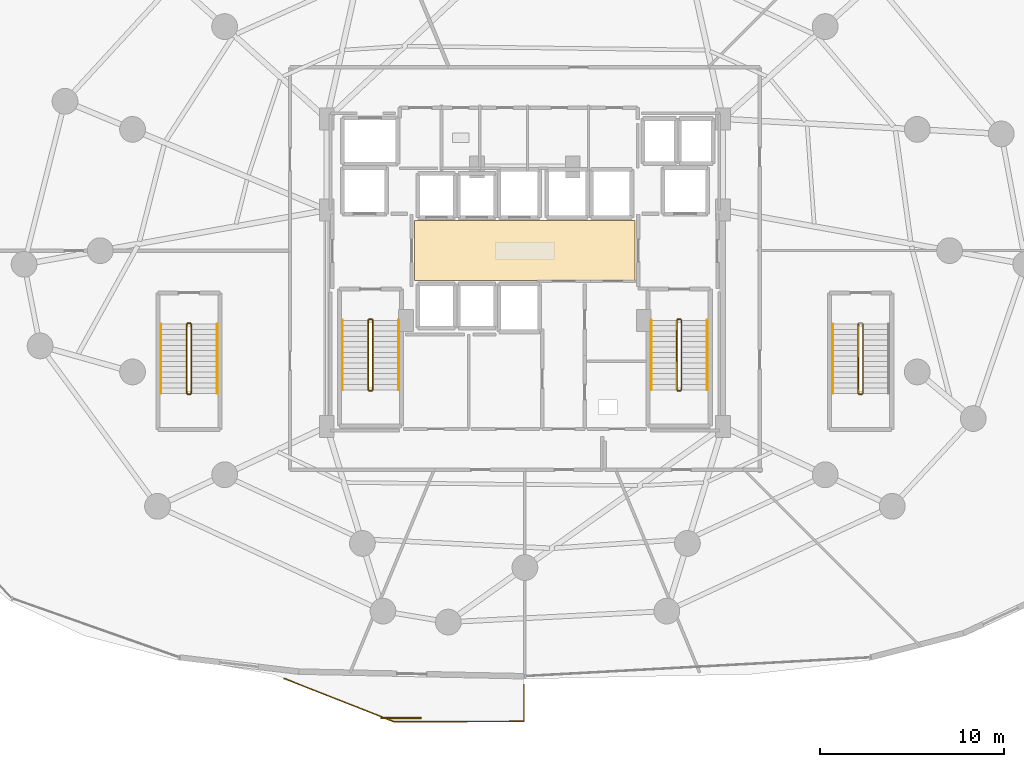
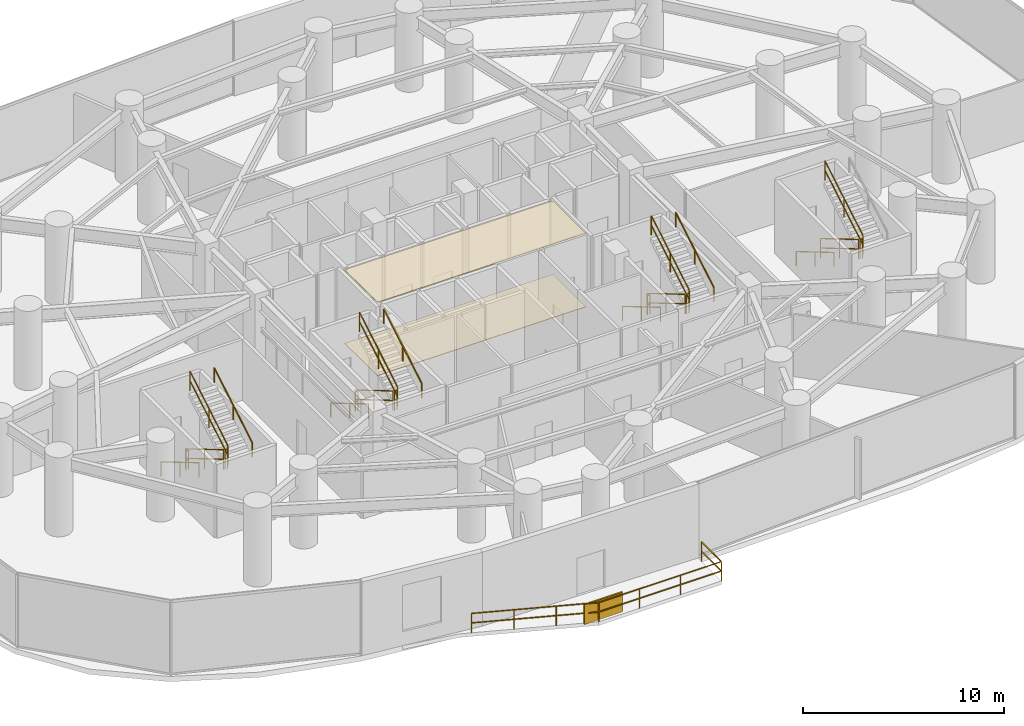
# One storey, part 28 of 30: 24 railings, 2 coverings, 1 shading device.
"""IFC4 building model written with IfcOpenShell, lengths in metres."""

from ifc_helpers import new_model, si_unit, direction, frame, origin, origin_2d, place, context, subcontext, project, spatial, polyline, rectangle, outline, extrude, material, layer, layer_set, type_object, element, save


model = new_model("IFC4")

# Units and contexts
model_context = context("Model", 3, precision=1e-05, world=origin(), true_north=direction((0.0, 1.0)))
body_context = subcontext(model_context, "Body", "Model", "MODEL_VIEW")
ifc_project = project(units=[si_unit("LENGTHUNIT", "METRE"), si_unit("AREAUNIT", "SQUARE_METRE"), si_unit("VOLUMEUNIT", "CUBIC_METRE"), si_unit("PLANEANGLEUNIT", "RADIAN"), si_unit("MASSUNIT", "GRAM", prefix="KILO")], contexts=[model_context])

# Site, building, storey
site_placement = place(None, origin())
site = spatial("IfcSite", under=ifc_project, at=site_placement, CompositionType="ELEMENT")
building_placement = place(site_placement, origin())
building = spatial("IfcBuilding", under=site, at=building_placement, Name="Vorneva Point Tower", CompositionType="ELEMENT")
storey_placement = place(building_placement, frame((0.0, 0.0, 9.60009765625)))
storey = spatial("IfcBuildingStorey", under=building, at=storey_placement, Name="L02", CompositionType="ELEMENT", Elevation=9.60009765625)

# Coverings
ifc_material_1 = material(Name="Perforated acoustic aluminium baffle ceiling", Category="aluminium")
ifc_layer_1 = layer(ifc_material_1, 0.030029296875)
ifc_layer_set_1 = layer_set([ifc_layer_1], Name="Perforated acoustic aluminium baffle ceiling")
covering_type_1 = type_object("IfcCoveringType", Name="COV-CEIL-BAF", PredefinedType="CEILING", material=ifc_layer_set_1)
covering_1_placement = place(storey_placement, frame((0.0, 0.0, 4.449951171875)))
element("IfcCovering", 1, at=covering_1_placement, inside=storey, type_object=covering_type_1, Name="L02 Lift Lobby Acoustic Baffle Ceiling", PredefinedType="CEILING", context=body_context, shape_type="SweptSolid", body=[
    extrude(outline(polyline([(32.02001953125, 24.3701171875), (43.97998046875, 24.3701171875), (43.97998046875, 27.6298828125), (32.02001953125, 27.6298828125), (32.02001953125, 24.3701171875)])), origin(), (0.0, 0.0, 1.0), 0.034912109375),
])
ifc_material_2 = material(Name="Polished Ural granite terrazzo", Category="masonry")
ifc_layer_2 = layer(ifc_material_2, 0.02490234375)
ifc_layer_set_2 = layer_set([ifc_layer_2], Name="Polished Ural granite terrazzo")
covering_type_2 = type_object("IfcCoveringType", Name="COV-FLR-TRZ", PredefinedType="FLOORING", material=ifc_layer_set_2)
covering_2_placement = place(storey_placement, frame((0.0, 0.0, -0.005126953125)))
element("IfcCovering", 2, at=covering_2_placement, inside=storey, type_object=covering_type_2, Name="L02 Lift Lobby Floor Finish", PredefinedType="FLOORING", context=body_context, shape_type="SweptSolid", body=[
    extrude(outline(polyline([(32.02001953125, 24.3701171875), (43.97998046875, 24.3701171875), (43.97998046875, 27.6298828125), (32.02001953125, 27.6298828125), (32.02001953125, 24.3701171875)])), origin(), (0.0, 0.0, 1.0), 0.030029296875),
])

# Railings
ifc_material_3 = material(Name="Pale anodised aluminium", Category="aluminium")
railing_type_1 = type_object("IfcRailingType", Name="RL-BAL-1200", PredefinedType="BALUSTRADE", material=ifc_material_3)
railing_1_placement = place(storey_placement, frame((37.949951171875, 0.449951171875, 0.0)))
element("IfcRailing", 3, at=railing_1_placement, inside=storey, type_object=railing_type_1, Name="L02 Wave Balcony Balustrade SW.1", PredefinedType="BALUSTRADE", context=body_context, shape_type="SweptSolid", body=[
    extrude(rectangle(XDim=0.048095703125, YDim=0.048095703125, at=origin_2d()), frame((0.0, 0.0, 1.17578125), z_axis=(0.0, 1.0, 0.0), x_axis=(-1.0, 0.0, 0.0)), (0.0, 0.0, 1.0), 1.985107421875),
    extrude(rectangle(XDim=0.048095703125, YDim=0.048095703125, at=origin_2d()), frame((0.0, 0.0, 0.60009765625), z_axis=(0.0, 1.0, 0.0), x_axis=(-1.0, 0.0, 0.0)), (0.0, 0.0, 1.0), 1.985107421875),
    extrude(rectangle(XDim=0.0419921875, YDim=0.0419921875, at=origin_2d()), origin(), (0.0, 0.0, 1.0), 1.15185546875),
    extrude(rectangle(XDim=0.0419921875, YDim=0.0419921875, at=origin_2d()), frame((0.0, 1.985107421875, 0.0)), (0.0, 0.0, 1.0), 1.15185546875),
])
railing_2_placement = place(storey_placement, frame((24.944580078125, 2.772216796875, 0.0)))
element("IfcRailing", 4, at=railing_2_placement, inside=storey, type_object=railing_type_1, Name="L02 Wave Balcony Balustrade SW.2", PredefinedType="BALUSTRADE", context=body_context, shape_type="SweptSolid", body=[
    extrude(rectangle(XDim=0.048095703125, YDim=0.048095703125, at=origin_2d()), frame((0.0, 0.0, 1.17578125), z_axis=(0.930703276401, -0.365775082936, 0.0), x_axis=(0.365775082936, 0.930703276401, 0.0)), (0.0, 0.0, 1.0), 6.401611328125),
    extrude(rectangle(XDim=0.048095703125, YDim=0.048095703125, at=origin_2d()), frame((0.0, 0.0, 0.60009765625), z_axis=(0.930703276401, -0.365775082936, 0.0), x_axis=(0.365775082936, 0.930703276401, 0.0)), (0.0, 0.0, 1.0), 6.401611328125),
    extrude(rectangle(XDim=0.048095703125, YDim=0.048095703125, at=origin_2d()), frame((5.9580078125, -2.341552734375, 1.17578125), z_axis=(0.999996255028, 0.00273677351, 0.0), x_axis=(-0.00273677351, 0.999996255028, 0.0)), (0.0, 0.0, 1.0), 7.04736328125),
    extrude(rectangle(XDim=0.048095703125, YDim=0.048095703125, at=origin_2d()), frame((5.9580078125, -2.341552734375, 0.60009765625), z_axis=(0.999996255028, 0.00273677351, 0.0), x_axis=(-0.00273677351, 0.999996255028, 0.0)), (0.0, 0.0, 1.0), 7.04736328125),
    extrude(rectangle(XDim=0.0419921875, YDim=0.0419921875, at=origin_2d()), origin(), (0.0, 0.0, 1.0), 1.15185546875),
    extrude(rectangle(XDim=0.0419921875, YDim=0.0419921875, at=origin_2d()), frame((1.986083984375, -0.780517578125, 0.0)), (0.0, 0.0, 1.0), 1.15185546875),
    extrude(rectangle(XDim=0.0419921875, YDim=0.0419921875, at=origin_2d()), frame((3.971923828125, -1.56103515625, 0.0)), (0.0, 0.0, 1.0), 1.15185546875),
    extrude(rectangle(XDim=0.0419921875, YDim=0.0419921875, at=origin_2d()), frame((5.9580078125, -2.341552734375, 0.0)), (0.0, 0.0, 1.0), 1.15185546875),
    extrude(rectangle(XDim=0.0419921875, YDim=0.0419921875, at=origin_2d()), frame((8.30712890625, -2.335205078125, 0.0)), (0.0, 0.0, 1.0), 1.15185546875),
    extrude(rectangle(XDim=0.0419921875, YDim=0.0419921875, at=origin_2d()), frame((10.65625, -2.32861328125, 0.0)), (0.0, 0.0, 1.0), 1.15185546875),
    extrude(rectangle(XDim=0.0419921875, YDim=0.0419921875, at=origin_2d()), frame((13.00537109375, -2.322265625, 0.0)), (0.0, 0.0, 1.0), 1.15185546875),
])
ifc_material_4 = material(Name="Brushed stainless steel S304", Category="steel")
railing_type_2 = type_object("IfcRailingType", Name="RL-HND-920", PredefinedType="HANDRAIL", material=ifc_material_4)
railing_3_placement = place(storey_placement, frame((28.10009765625, 22.219970703125, 0.17138671875)))
element("IfcRailing", 5, at=railing_3_placement, inside=storey, type_object=railing_type_2, Name="L02 ST1 stair handrail 1", PredefinedType="HANDRAIL", context=body_context, shape_type="SweptSolid", body=[
    extrude(rectangle(XDim=0.048095703125, YDim=0.048095703125, at=origin_2d()), frame((0.0, 0.0, 0.8759765625), z_axis=(0.0, -0.860848830602, 0.508860777473), x_axis=(1.0, 0.0, 0.0)), (0.0, 0.0, 1.0), 4.37939453125),
    extrude(rectangle(XDim=0.0419921875, YDim=0.0419921875, at=origin_2d()), origin(), (0.0, 0.0, 1.0), 0.851806640625),
    extrude(rectangle(XDim=0.0419921875, YDim=0.0419921875, at=origin_2d()), frame((0.0, -1.885009765625, 1.1142578125)), (0.0, 0.0, 1.0), 0.851806640625),
    extrude(rectangle(XDim=0.0419921875, YDim=0.0419921875, at=origin_2d()), frame((0.0, -3.77001953125, 2.228515625)), (0.0, 0.0, 1.0), 0.851806640625),
])
railing_4_placement = place(storey_placement, frame((31.14990234375, 18.449951171875, 2.5712890625)))
element("IfcRailing", 6, at=railing_4_placement, inside=storey, type_object=railing_type_2, Name="L02 ST1 stair handrail 2", PredefinedType="HANDRAIL", context=body_context, shape_type="SweptSolid", body=[
    extrude(rectangle(XDim=0.048095703125, YDim=0.048095703125, at=origin_2d()), frame((0.0, 0.0, 0.8759765625), z_axis=(0.0, 0.860848830602, 0.508860777473), x_axis=(-1.0, 0.0, 0.0)), (0.0, 0.0, 1.0), 4.37939453125),
    extrude(rectangle(XDim=0.0419921875, YDim=0.0419921875, at=origin_2d()), origin(), (0.0, 0.0, 1.0), 0.851806640625),
    extrude(rectangle(XDim=0.0419921875, YDim=0.0419921875, at=origin_2d()), frame((0.0, 1.885009765625, 1.1142578125)), (0.0, 0.0, 1.0), 0.851806640625),
    extrude(rectangle(XDim=0.0419921875, YDim=0.0419921875, at=origin_2d()), frame((0.0, 3.77001953125, 2.228515625)), (0.0, 0.0, 1.0), 0.851806640625),
])
railing_5_placement = place(storey_placement, frame((44.85009765625, 22.219970703125, 0.17138671875)))
element("IfcRailing", 7, at=railing_5_placement, inside=storey, type_object=railing_type_2, Name="L02 ST2 stair handrail 1", PredefinedType="HANDRAIL", context=body_context, shape_type="SweptSolid", body=[
    extrude(rectangle(XDim=0.048095703125, YDim=0.048095703125, at=origin_2d()), frame((0.0, 0.0, 0.8759765625), z_axis=(0.0, -0.860848830602, 0.508860777473), x_axis=(1.0, 0.0, 0.0)), (0.0, 0.0, 1.0), 4.37939453125),
    extrude(rectangle(XDim=0.0419921875, YDim=0.0419921875, at=origin_2d()), origin(), (0.0, 0.0, 1.0), 0.851806640625),
    extrude(rectangle(XDim=0.0419921875, YDim=0.0419921875, at=origin_2d()), frame((0.0, -1.885009765625, 1.1142578125)), (0.0, 0.0, 1.0), 0.851806640625),
    extrude(rectangle(XDim=0.0419921875, YDim=0.0419921875, at=origin_2d()), frame((0.0, -3.77001953125, 2.228515625)), (0.0, 0.0, 1.0), 0.851806640625),
])
railing_6_placement = place(storey_placement, frame((47.89990234375, 18.449951171875, 2.5712890625)))
element("IfcRailing", 8, at=railing_6_placement, inside=storey, type_object=railing_type_2, Name="L02 ST2 stair handrail 2", PredefinedType="HANDRAIL", context=body_context, shape_type="SweptSolid", body=[
    extrude(rectangle(XDim=0.048095703125, YDim=0.048095703125, at=origin_2d()), frame((0.0, 0.0, 0.8759765625), z_axis=(0.0, 0.860848830602, 0.508860777473), x_axis=(-1.0, 0.0, 0.0)), (0.0, 0.0, 1.0), 4.37939453125),
    extrude(rectangle(XDim=0.0419921875, YDim=0.0419921875, at=origin_2d()), origin(), (0.0, 0.0, 1.0), 0.851806640625),
    extrude(rectangle(XDim=0.0419921875, YDim=0.0419921875, at=origin_2d()), frame((0.0, 1.885009765625, 1.1142578125)), (0.0, 0.0, 1.0), 0.851806640625),
    extrude(rectangle(XDim=0.0419921875, YDim=0.0419921875, at=origin_2d()), frame((0.0, 3.77001953125, 2.228515625)), (0.0, 0.0, 1.0), 0.851806640625),
])
railing_7_placement = place(storey_placement, frame((18.25, 22.02001953125, 0.17138671875)))
element("IfcRailing", 9, at=railing_7_placement, inside=storey, type_object=railing_type_2, Name="L02 ST3 stair handrail 1", PredefinedType="HANDRAIL", context=body_context, shape_type="SweptSolid", body=[
    extrude(rectangle(XDim=0.048095703125, YDim=0.048095703125, at=origin_2d()), frame((0.0, 0.0, 0.8759765625), z_axis=(0.0, -0.860848830602, 0.508860777473), x_axis=(1.0, 0.0, 0.0)), (0.0, 0.0, 1.0), 4.37939453125),
    extrude(rectangle(XDim=0.0419921875, YDim=0.0419921875, at=origin_2d()), origin(), (0.0, 0.0, 1.0), 0.851806640625),
    extrude(rectangle(XDim=0.0419921875, YDim=0.0419921875, at=origin_2d()), frame((0.0, -1.885009765625, 1.1142578125)), (0.0, 0.0, 1.0), 0.851806640625),
    extrude(rectangle(XDim=0.0419921875, YDim=0.0419921875, at=origin_2d()), frame((0.0, -3.77001953125, 2.228515625)), (0.0, 0.0, 1.0), 0.851806640625),
])
railing_8_placement = place(storey_placement, frame((21.300048828125, 18.25, 2.5712890625)))
element("IfcRailing", 10, at=railing_8_placement, inside=storey, type_object=railing_type_2, Name="L02 ST3 stair handrail 2", PredefinedType="HANDRAIL", context=body_context, shape_type="SweptSolid", body=[
    extrude(rectangle(XDim=0.048095703125, YDim=0.048095703125, at=origin_2d()), frame((0.0, 0.0, 0.8759765625), z_axis=(0.0, 0.860848830602, 0.508860777473), x_axis=(-1.0, 0.0, 0.0)), (0.0, 0.0, 1.0), 4.37939453125),
    extrude(rectangle(XDim=0.0419921875, YDim=0.0419921875, at=origin_2d()), origin(), (0.0, 0.0, 1.0), 0.851806640625),
    extrude(rectangle(XDim=0.0419921875, YDim=0.0419921875, at=origin_2d()), frame((0.0, 1.885009765625, 1.1142578125)), (0.0, 0.0, 1.0), 0.851806640625),
    extrude(rectangle(XDim=0.0419921875, YDim=0.0419921875, at=origin_2d()), frame((0.0, 3.77001953125, 2.228515625)), (0.0, 0.0, 1.0), 0.851806640625),
])
railing_9_placement = place(storey_placement, frame((54.699951171875, 22.02001953125, 0.17138671875)))
element("IfcRailing", 11, at=railing_9_placement, inside=storey, type_object=railing_type_2, Name="L02 ST4 stair handrail 1", PredefinedType="HANDRAIL", context=body_context, shape_type="SweptSolid", body=[
    extrude(rectangle(XDim=0.048095703125, YDim=0.048095703125, at=origin_2d()), frame((0.0, 0.0, 0.8759765625), z_axis=(0.0, -0.860848830602, 0.508860777473), x_axis=(1.0, 0.0, 0.0)), (0.0, 0.0, 1.0), 4.37939453125),
    extrude(rectangle(XDim=0.0419921875, YDim=0.0419921875, at=origin_2d()), origin(), (0.0, 0.0, 1.0), 0.851806640625),
    extrude(rectangle(XDim=0.0419921875, YDim=0.0419921875, at=origin_2d()), frame((0.0, -1.885009765625, 1.1142578125)), (0.0, 0.0, 1.0), 0.851806640625),
    extrude(rectangle(XDim=0.0419921875, YDim=0.0419921875, at=origin_2d()), frame((0.0, -3.77001953125, 2.228515625)), (0.0, 0.0, 1.0), 0.851806640625),
])
railing_type_3 = type_object("IfcRailingType", Name="RL-STG-1100", PredefinedType="GUARDRAIL", material=ifc_material_4)
railing_10_placement = place(storey_placement, frame((29.5, 22.219970703125, 0.17138671875)))
element("IfcRailing", 12, at=railing_10_placement, inside=storey, type_object=railing_type_3, Name="L02 ST1 stair guard 1", PredefinedType="GUARDRAIL", context=body_context, shape_type="SweptSolid", body=[
    extrude(rectangle(XDim=0.048095703125, YDim=0.048095703125, at=origin_2d()), frame((0.0, 0.0, 1.17578125), z_axis=(0.0, -0.860848830602, 0.508860777473), x_axis=(1.0, 0.0, 0.0)), (0.0, 0.0, 1.0), 4.37939453125),
    extrude(rectangle(XDim=0.048095703125, YDim=0.048095703125, at=origin_2d()), frame((0.0, 0.0, 0.60009765625), z_axis=(0.0, -0.860848830602, 0.508860777473), x_axis=(1.0, 0.0, 0.0)), (0.0, 0.0, 1.0), 4.37939453125),
    extrude(rectangle(XDim=0.0419921875, YDim=0.0419921875, at=origin_2d()), origin(), (0.0, 0.0, 1.0), 1.15185546875),
    extrude(rectangle(XDim=0.0419921875, YDim=0.0419921875, at=origin_2d()), frame((0.0, -1.885009765625, 1.1142578125)), (0.0, 0.0, 1.0), 1.15185546875),
    extrude(rectangle(XDim=0.0419921875, YDim=0.0419921875, at=origin_2d()), frame((0.0, -3.77001953125, 2.228515625)), (0.0, 0.0, 1.0), 1.15185546875),
])
railing_11_placement = place(storey_placement, frame((29.550048828125, 18.39990234375, 2.39990234375)))
element("IfcRailing", 13, at=railing_11_placement, inside=storey, type_object=railing_type_3, Name="L02 ST1 stair guard 2", PredefinedType="GUARDRAIL", context=body_context, shape_type="SweptSolid", body=[
    extrude(rectangle(XDim=0.048095703125, YDim=0.048095703125, at=origin_2d()), frame((0.0, 0.0, 1.17578125), z_axis=(1.0, 0.0, 0.0), x_axis=(0.0, 1.0, 0.0)), (0.0, 0.0, 1.0), 0.14990234375),
    extrude(rectangle(XDim=0.048095703125, YDim=0.048095703125, at=origin_2d()), frame((0.0, 0.0, 0.60009765625), z_axis=(1.0, 0.0, 0.0), x_axis=(0.0, 1.0, 0.0)), (0.0, 0.0, 1.0), 0.14990234375),
    extrude(rectangle(XDim=0.0419921875, YDim=0.0419921875, at=origin_2d()), origin(), (0.0, 0.0, 1.0), 1.15185546875),
    extrude(rectangle(XDim=0.0419921875, YDim=0.0419921875, at=origin_2d()), frame((0.14990234375, 0.0, 0.0)), (0.0, 0.0, 1.0), 1.15185546875),
])
railing_12_placement = place(storey_placement, frame((29.75, 18.449951171875, 2.5712890625)))
element("IfcRailing", 14, at=railing_12_placement, inside=storey, type_object=railing_type_3, Name="L02 ST1 stair guard 3", PredefinedType="GUARDRAIL", context=body_context, shape_type="SweptSolid", body=[
    extrude(rectangle(XDim=0.048095703125, YDim=0.048095703125, at=origin_2d()), frame((0.0, 0.0, 1.17578125), z_axis=(0.0, 0.860848830602, 0.508860777473), x_axis=(-1.0, 0.0, 0.0)), (0.0, 0.0, 1.0), 4.37939453125),
    extrude(rectangle(XDim=0.048095703125, YDim=0.048095703125, at=origin_2d()), frame((0.0, 0.0, 0.60009765625), z_axis=(0.0, 0.860848830602, 0.508860777473), x_axis=(-1.0, 0.0, 0.0)), (0.0, 0.0, 1.0), 4.37939453125),
    extrude(rectangle(XDim=0.0419921875, YDim=0.0419921875, at=origin_2d()), origin(), (0.0, 0.0, 1.0), 1.15185546875),
    extrude(rectangle(XDim=0.0419921875, YDim=0.0419921875, at=origin_2d()), frame((0.0, 1.885009765625, 1.1142578125)), (0.0, 0.0, 1.0), 1.15185546875),
    extrude(rectangle(XDim=0.0419921875, YDim=0.0419921875, at=origin_2d()), frame((0.0, 3.77001953125, 2.228515625)), (0.0, 0.0, 1.0), 1.15185546875),
])
railing_13_placement = place(storey_placement, frame((29.550048828125, 22.27001953125, 0.0)))
element("IfcRailing", 15, at=railing_13_placement, inside=storey, type_object=railing_type_3, Name="L02 ST1 stair guard 4", PredefinedType="GUARDRAIL", context=body_context, shape_type="SweptSolid", body=[
    extrude(rectangle(XDim=0.048095703125, YDim=0.048095703125, at=origin_2d()), frame((0.0, 0.0, 1.17578125), z_axis=(1.0, 0.0, 0.0), x_axis=(0.0, 1.0, 0.0)), (0.0, 0.0, 1.0), 0.14990234375),
    extrude(rectangle(XDim=0.048095703125, YDim=0.048095703125, at=origin_2d()), frame((0.0, 0.0, 0.60009765625), z_axis=(1.0, 0.0, 0.0), x_axis=(0.0, 1.0, 0.0)), (0.0, 0.0, 1.0), 0.14990234375),
    extrude(rectangle(XDim=0.0419921875, YDim=0.0419921875, at=origin_2d()), origin(), (0.0, 0.0, 1.0), 1.15185546875),
    extrude(rectangle(XDim=0.0419921875, YDim=0.0419921875, at=origin_2d()), frame((0.14990234375, 0.0, 0.0)), (0.0, 0.0, 1.0), 1.15185546875),
])
railing_14_placement = place(storey_placement, frame((46.25, 22.219970703125, 0.17138671875)))
element("IfcRailing", 16, at=railing_14_placement, inside=storey, type_object=railing_type_3, Name="L02 ST2 stair guard 1", PredefinedType="GUARDRAIL", context=body_context, shape_type="SweptSolid", body=[
    extrude(rectangle(XDim=0.048095703125, YDim=0.048095703125, at=origin_2d()), frame((0.0, 0.0, 1.17578125), z_axis=(0.0, -0.860848830602, 0.508860777473), x_axis=(1.0, 0.0, 0.0)), (0.0, 0.0, 1.0), 4.37939453125),
    extrude(rectangle(XDim=0.048095703125, YDim=0.048095703125, at=origin_2d()), frame((0.0, 0.0, 0.60009765625), z_axis=(0.0, -0.860848830602, 0.508860777473), x_axis=(1.0, 0.0, 0.0)), (0.0, 0.0, 1.0), 4.37939453125),
    extrude(rectangle(XDim=0.0419921875, YDim=0.0419921875, at=origin_2d()), origin(), (0.0, 0.0, 1.0), 1.15185546875),
    extrude(rectangle(XDim=0.0419921875, YDim=0.0419921875, at=origin_2d()), frame((0.0, -1.885009765625, 1.1142578125)), (0.0, 0.0, 1.0), 1.15185546875),
    extrude(rectangle(XDim=0.0419921875, YDim=0.0419921875, at=origin_2d()), frame((0.0, -3.77001953125, 2.228515625)), (0.0, 0.0, 1.0), 1.15185546875),
])
railing_15_placement = place(storey_placement, frame((46.300048828125, 18.39990234375, 2.39990234375)))
element("IfcRailing", 17, at=railing_15_placement, inside=storey, type_object=railing_type_3, Name="L02 ST2 stair guard 2", PredefinedType="GUARDRAIL", context=body_context, shape_type="SweptSolid", body=[
    extrude(rectangle(XDim=0.048095703125, YDim=0.048095703125, at=origin_2d()), frame((0.0, 0.0, 1.17578125), z_axis=(1.0, 0.0, 0.0), x_axis=(0.0, 1.0, 0.0)), (0.0, 0.0, 1.0), 0.14990234375),
    extrude(rectangle(XDim=0.048095703125, YDim=0.048095703125, at=origin_2d()), frame((0.0, 0.0, 0.60009765625), z_axis=(1.0, 0.0, 0.0), x_axis=(0.0, 1.0, 0.0)), (0.0, 0.0, 1.0), 0.14990234375),
    extrude(rectangle(XDim=0.0419921875, YDim=0.0419921875, at=origin_2d()), origin(), (0.0, 0.0, 1.0), 1.15185546875),
    extrude(rectangle(XDim=0.0419921875, YDim=0.0419921875, at=origin_2d()), frame((0.14990234375, 0.0, 0.0)), (0.0, 0.0, 1.0), 1.15185546875),
])
railing_16_placement = place(storey_placement, frame((46.5, 18.449951171875, 2.5712890625)))
element("IfcRailing", 18, at=railing_16_placement, inside=storey, type_object=railing_type_3, Name="L02 ST2 stair guard 3", PredefinedType="GUARDRAIL", context=body_context, shape_type="SweptSolid", body=[
    extrude(rectangle(XDim=0.048095703125, YDim=0.048095703125, at=origin_2d()), frame((0.0, 0.0, 1.17578125), z_axis=(0.0, 0.860848830602, 0.508860777473), x_axis=(-1.0, 0.0, 0.0)), (0.0, 0.0, 1.0), 4.37939453125),
    extrude(rectangle(XDim=0.048095703125, YDim=0.048095703125, at=origin_2d()), frame((0.0, 0.0, 0.60009765625), z_axis=(0.0, 0.860848830602, 0.508860777473), x_axis=(-1.0, 0.0, 0.0)), (0.0, 0.0, 1.0), 4.37939453125),
    extrude(rectangle(XDim=0.0419921875, YDim=0.0419921875, at=origin_2d()), origin(), (0.0, 0.0, 1.0), 1.15185546875),
    extrude(rectangle(XDim=0.0419921875, YDim=0.0419921875, at=origin_2d()), frame((0.0, 1.885009765625, 1.1142578125)), (0.0, 0.0, 1.0), 1.15185546875),
    extrude(rectangle(XDim=0.0419921875, YDim=0.0419921875, at=origin_2d()), frame((0.0, 3.77001953125, 2.228515625)), (0.0, 0.0, 1.0), 1.15185546875),
])
railing_17_placement = place(storey_placement, frame((46.300048828125, 22.27001953125, 0.0)))
element("IfcRailing", 19, at=railing_17_placement, inside=storey, type_object=railing_type_3, Name="L02 ST2 stair guard 4", PredefinedType="GUARDRAIL", context=body_context, shape_type="SweptSolid", body=[
    extrude(rectangle(XDim=0.048095703125, YDim=0.048095703125, at=origin_2d()), frame((0.0, 0.0, 1.17578125), z_axis=(1.0, 0.0, 0.0), x_axis=(0.0, 1.0, 0.0)), (0.0, 0.0, 1.0), 0.14990234375),
    extrude(rectangle(XDim=0.048095703125, YDim=0.048095703125, at=origin_2d()), frame((0.0, 0.0, 0.60009765625), z_axis=(1.0, 0.0, 0.0), x_axis=(0.0, 1.0, 0.0)), (0.0, 0.0, 1.0), 0.14990234375),
    extrude(rectangle(XDim=0.0419921875, YDim=0.0419921875, at=origin_2d()), origin(), (0.0, 0.0, 1.0), 1.15185546875),
    extrude(rectangle(XDim=0.0419921875, YDim=0.0419921875, at=origin_2d()), frame((0.14990234375, 0.0, 0.0)), (0.0, 0.0, 1.0), 1.15185546875),
])
railing_18_placement = place(storey_placement, frame((19.64990234375, 22.02001953125, 0.17138671875)))
element("IfcRailing", 20, at=railing_18_placement, inside=storey, type_object=railing_type_3, Name="L02 ST3 stair guard 1", PredefinedType="GUARDRAIL", context=body_context, shape_type="SweptSolid", body=[
    extrude(rectangle(XDim=0.048095703125, YDim=0.048095703125, at=origin_2d()), frame((0.0, 0.0, 1.17578125), z_axis=(0.0, -0.860848830602, 0.508860777473), x_axis=(1.0, 0.0, 0.0)), (0.0, 0.0, 1.0), 4.37939453125),
    extrude(rectangle(XDim=0.048095703125, YDim=0.048095703125, at=origin_2d()), frame((0.0, 0.0, 0.60009765625), z_axis=(0.0, -0.860848830602, 0.508860777473), x_axis=(1.0, 0.0, 0.0)), (0.0, 0.0, 1.0), 4.37939453125),
    extrude(rectangle(XDim=0.0419921875, YDim=0.0419921875, at=origin_2d()), origin(), (0.0, 0.0, 1.0), 1.15185546875),
    extrude(rectangle(XDim=0.0419921875, YDim=0.0419921875, at=origin_2d()), frame((0.0, -1.885009765625, 1.1142578125)), (0.0, 0.0, 1.0), 1.15185546875),
    extrude(rectangle(XDim=0.0419921875, YDim=0.0419921875, at=origin_2d()), frame((0.0, -3.77001953125, 2.228515625)), (0.0, 0.0, 1.0), 1.15185546875),
])
railing_19_placement = place(storey_placement, frame((19.699951171875, 18.199951171875, 2.39990234375)))
element("IfcRailing", 21, at=railing_19_placement, inside=storey, type_object=railing_type_3, Name="L02 ST3 stair guard 2", PredefinedType="GUARDRAIL", context=body_context, shape_type="SweptSolid", body=[
    extrude(rectangle(XDim=0.048095703125, YDim=0.048095703125, at=origin_2d()), frame((0.0, 0.0, 1.17578125), z_axis=(1.0, 0.0, 0.0), x_axis=(0.0, 1.0, 0.0)), (0.0, 0.0, 1.0), 0.150146484375),
    extrude(rectangle(XDim=0.048095703125, YDim=0.048095703125, at=origin_2d()), frame((0.0, 0.0, 0.60009765625), z_axis=(1.0, 0.0, 0.0), x_axis=(0.0, 1.0, 0.0)), (0.0, 0.0, 1.0), 0.150146484375),
    extrude(rectangle(XDim=0.0419921875, YDim=0.0419921875, at=origin_2d()), origin(), (0.0, 0.0, 1.0), 1.15185546875),
    extrude(rectangle(XDim=0.0419921875, YDim=0.0419921875, at=origin_2d()), frame((0.150146484375, 0.0, 0.0)), (0.0, 0.0, 1.0), 1.15185546875),
])
railing_20_placement = place(storey_placement, frame((19.89990234375, 18.25, 2.5712890625)))
element("IfcRailing", 22, at=railing_20_placement, inside=storey, type_object=railing_type_3, Name="L02 ST3 stair guard 3", PredefinedType="GUARDRAIL", context=body_context, shape_type="SweptSolid", body=[
    extrude(rectangle(XDim=0.048095703125, YDim=0.048095703125, at=origin_2d()), frame((0.0, 0.0, 1.17578125), z_axis=(0.0, 0.860848830602, 0.508860777473), x_axis=(-1.0, 0.0, 0.0)), (0.0, 0.0, 1.0), 4.37939453125),
    extrude(rectangle(XDim=0.048095703125, YDim=0.048095703125, at=origin_2d()), frame((0.0, 0.0, 0.60009765625), z_axis=(0.0, 0.860848830602, 0.508860777473), x_axis=(-1.0, 0.0, 0.0)), (0.0, 0.0, 1.0), 4.37939453125),
    extrude(rectangle(XDim=0.0419921875, YDim=0.0419921875, at=origin_2d()), origin(), (0.0, 0.0, 1.0), 1.15185546875),
    extrude(rectangle(XDim=0.0419921875, YDim=0.0419921875, at=origin_2d()), frame((0.0, 1.885009765625, 1.1142578125)), (0.0, 0.0, 1.0), 1.15185546875),
    extrude(rectangle(XDim=0.0419921875, YDim=0.0419921875, at=origin_2d()), frame((0.0, 3.77001953125, 2.228515625)), (0.0, 0.0, 1.0), 1.15185546875),
])
railing_21_placement = place(storey_placement, frame((19.699951171875, 22.070068359375, 0.0)))
element("IfcRailing", 23, at=railing_21_placement, inside=storey, type_object=railing_type_3, Name="L02 ST3 stair guard 4", PredefinedType="GUARDRAIL", context=body_context, shape_type="SweptSolid", body=[
    extrude(rectangle(XDim=0.048095703125, YDim=0.048095703125, at=origin_2d()), frame((0.0, 0.0, 1.17578125), z_axis=(1.0, 0.0, 0.0), x_axis=(0.0, 1.0, 0.0)), (0.0, 0.0, 1.0), 0.150146484375),
    extrude(rectangle(XDim=0.048095703125, YDim=0.048095703125, at=origin_2d()), frame((0.0, 0.0, 0.60009765625), z_axis=(1.0, 0.0, 0.0), x_axis=(0.0, 1.0, 0.0)), (0.0, 0.0, 1.0), 0.150146484375),
    extrude(rectangle(XDim=0.0419921875, YDim=0.0419921875, at=origin_2d()), origin(), (0.0, 0.0, 1.0), 1.15185546875),
    extrude(rectangle(XDim=0.0419921875, YDim=0.0419921875, at=origin_2d()), frame((0.150146484375, 0.0, 0.0)), (0.0, 0.0, 1.0), 1.15185546875),
])
railing_22_placement = place(storey_placement, frame((56.10009765625, 22.02001953125, 0.17138671875)))
element("IfcRailing", 24, at=railing_22_placement, inside=storey, type_object=railing_type_3, Name="L02 ST4 stair guard 1", PredefinedType="GUARDRAIL", context=body_context, shape_type="SweptSolid", body=[
    extrude(rectangle(XDim=0.048095703125, YDim=0.048095703125, at=origin_2d()), frame((0.0, 0.0, 1.17578125), z_axis=(0.0, -0.860848830602, 0.508860777473), x_axis=(1.0, 0.0, 0.0)), (0.0, 0.0, 1.0), 4.37939453125),
    extrude(rectangle(XDim=0.048095703125, YDim=0.048095703125, at=origin_2d()), frame((0.0, 0.0, 0.60009765625), z_axis=(0.0, -0.860848830602, 0.508860777473), x_axis=(1.0, 0.0, 0.0)), (0.0, 0.0, 1.0), 4.37939453125),
    extrude(rectangle(XDim=0.0419921875, YDim=0.0419921875, at=origin_2d()), origin(), (0.0, 0.0, 1.0), 1.15185546875),
    extrude(rectangle(XDim=0.0419921875, YDim=0.0419921875, at=origin_2d()), frame((0.0, -1.885009765625, 1.1142578125)), (0.0, 0.0, 1.0), 1.15185546875),
    extrude(rectangle(XDim=0.0419921875, YDim=0.0419921875, at=origin_2d()), frame((0.0, -3.77001953125, 2.228515625)), (0.0, 0.0, 1.0), 1.15185546875),
])
railing_23_placement = place(storey_placement, frame((56.14990234375, 18.199951171875, 2.39990234375)))
element("IfcRailing", 25, at=railing_23_placement, inside=storey, type_object=railing_type_3, Name="L02 ST4 stair guard 2", PredefinedType="GUARDRAIL", context=body_context, shape_type="SweptSolid", body=[
    extrude(rectangle(XDim=0.048095703125, YDim=0.048095703125, at=origin_2d()), frame((0.0, 0.0, 1.17578125), z_axis=(1.0, 0.0, 0.0), x_axis=(0.0, 1.0, 0.0)), (0.0, 0.0, 1.0), 0.150146484375),
    extrude(rectangle(XDim=0.048095703125, YDim=0.048095703125, at=origin_2d()), frame((0.0, 0.0, 0.60009765625), z_axis=(1.0, 0.0, 0.0), x_axis=(0.0, 1.0, 0.0)), (0.0, 0.0, 1.0), 0.150146484375),
    extrude(rectangle(XDim=0.0419921875, YDim=0.0419921875, at=origin_2d()), origin(), (0.0, 0.0, 1.0), 1.15185546875),
    extrude(rectangle(XDim=0.0419921875, YDim=0.0419921875, at=origin_2d()), frame((0.150146484375, 0.0, 0.0)), (0.0, 0.0, 1.0), 1.15185546875),
])
railing_24_placement = place(storey_placement, frame((56.35009765625, 18.25, 2.5712890625)))
element("IfcRailing", 26, at=railing_24_placement, inside=storey, type_object=railing_type_3, Name="L02 ST4 stair guard 3", PredefinedType="GUARDRAIL", context=body_context, shape_type="SweptSolid", body=[
    extrude(rectangle(XDim=0.048095703125, YDim=0.048095703125, at=origin_2d()), frame((0.0, 0.0, 1.17578125), z_axis=(0.0, 0.860848830602, 0.508860777473), x_axis=(-1.0, 0.0, 0.0)), (0.0, 0.0, 1.0), 4.37939453125),
    extrude(rectangle(XDim=0.048095703125, YDim=0.048095703125, at=origin_2d()), frame((0.0, 0.0, 0.60009765625), z_axis=(0.0, 0.860848830602, 0.508860777473), x_axis=(-1.0, 0.0, 0.0)), (0.0, 0.0, 1.0), 4.37939453125),
    extrude(rectangle(XDim=0.0419921875, YDim=0.0419921875, at=origin_2d()), origin(), (0.0, 0.0, 1.0), 1.15185546875),
    extrude(rectangle(XDim=0.0419921875, YDim=0.0419921875, at=origin_2d()), frame((0.0, 1.885009765625, 1.1142578125)), (0.0, 0.0, 1.0), 1.15185546875),
    extrude(rectangle(XDim=0.0419921875, YDim=0.0419921875, at=origin_2d()), frame((0.0, 3.77001953125, 2.228515625)), (0.0, 0.0, 1.0), 1.15185546875),
])

# Shading device
shading_device_type = type_object("IfcShadingDeviceType", Name="SHD-JAL-1200", PredefinedType="JALOUSIE", material=ifc_material_3)
shading_device_placement = place(storey_placement, frame((31.281982421875, 0.64404296875, -0.02001953125), z_axis=(0.0, 0.0, 1.0), x_axis=(0.999996245745, 0.002740163497, 0.0)))
element("IfcShadingDevice", 27, at=shading_device_placement, inside=storey, type_object=shading_device_type, Name="L02 Balcony Vertical-Greenery Planter Screen SW.2", PredefinedType="JALOUSIE", context=body_context, shape_type="SweptSolid", body=[
    extrude(rectangle(XDim=2.199951171875, YDim=0.080078125, at=origin_2d()), origin(), (0.0, 0.0, 1.0), 1.199951171875),
])

save(model, "model.ifc")
